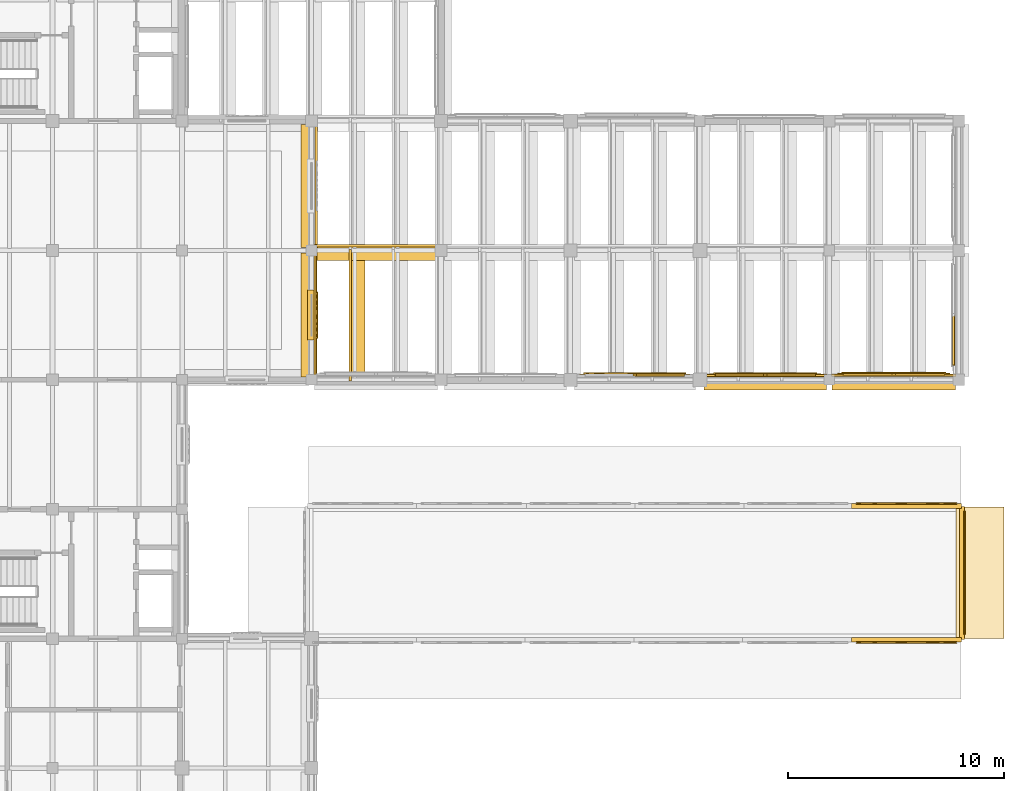
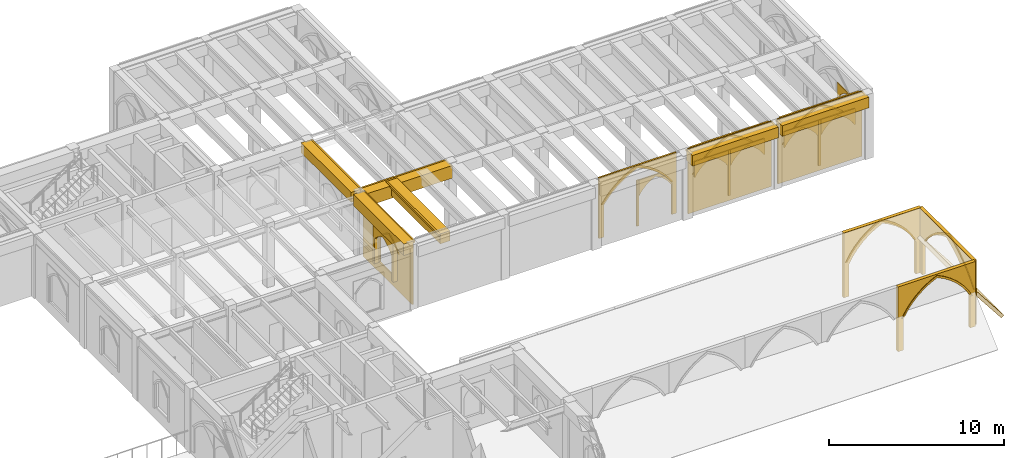
# One storey, part 123 of 127: 39 coverings.
"""IFC4 building model written with IfcOpenShell, lengths in metres."""

from ifc_helpers import new_model, si_unit, direction, frame, origin, origin_2d, place, context, subcontext, project, spatial, polyline, rectangle, outline, extrude, material, type_object, element, save


model = new_model("IFC4")

# Units and contexts
model_context = context("Model", 3, precision=1e-05, world=origin(), true_north=direction((0.0, 1.0)))
body_context = subcontext(model_context, "Body", "Model", "MODEL_VIEW")
ifc_project = project(units=[si_unit("LENGTHUNIT", "METRE"), si_unit("AREAUNIT", "SQUARE_METRE"), si_unit("VOLUMEUNIT", "CUBIC_METRE"), si_unit("PLANEANGLEUNIT", "RADIAN"), si_unit("MASSUNIT", "GRAM", prefix="KILO")], contexts=[model_context])

# Site, building, storey
site_placement = place(None, origin())
site = spatial("IfcSite", under=ifc_project, at=site_placement, CompositionType="ELEMENT")
building_placement = place(site_placement, origin())
building = spatial("IfcBuilding", under=site, at=building_placement, Name="Cumevento Cable Car Station", CompositionType="ELEMENT")
storey_placement = place(building_placement, frame((0.0, 0.0, 4.5)))
storey = spatial("IfcBuildingStorey", under=building, at=storey_placement, Name="L02", CompositionType="ELEMENT", Elevation=4.5)

# Coverings
ifc_material = material(Name="Gnaisse Facoidal Stone Ashlar 85 MPa", Category="masonry")
covering_type = type_object("IfcCoveringType", Name="Gnaisse Ashlar Cladding CV-CL01", PredefinedType="CLADDING", material=ifc_material)
covering_1_placement = place(storey_placement, frame((135.85009765625, 36.0, 3.66796875), z_axis=(0.0, 0.0, 1.0), x_axis=(0.0, -1.0, 0.0)))
element("IfcCovering", 1, at=covering_1_placement, inside=storey, type_object=covering_type, Name="Gothic Stone Spandrel Stringcourse sc:0453", PredefinedType="CLADDING", context=body_context, shape_type="SweptSolid", body=[
    extrude(rectangle(XDim=5.739990234375, YDim=0.659912109375, at=origin_2d()), origin(), (0.0, 0.0, 1.0), 0.797119140625),
])
covering_2_placement = place(storey_placement, frame((136.20751953125, 36.0, 4.3349609375), z_axis=(0.0, 0.0, 1.0), x_axis=(0.0, -1.0, 0.0)))
element("IfcCovering", 2, at=covering_2_placement, inside=storey, type_object=covering_type, Name="Gothic Cornice Dripstone Lip sc:0453", PredefinedType="CLADDING", context=body_context, shape_type="SweptSolid", body=[
    extrude(rectangle(XDim=5.780029296875, YDim=0.114990234375, at=origin_2d()), origin(), (0.0, 0.0, 1.0), 0.1298828125),
])
covering_3_placement = place(storey_placement, frame((135.851318359375, 41.987548828125, 3.73583984375), z_axis=(0.0, 0.0, 1.0), x_axis=(0.0, -1.0, 0.0)))
element("IfcCovering", 3, at=covering_3_placement, inside=storey, type_object=covering_type, Name="Gothic Stone Spandrel Stringcourse sc:0454", PredefinedType="CLADDING", context=body_context, shape_type="SweptSolid", body=[
    extrude(rectangle(XDim=5.715087890625, YDim=0.66259765625, at=origin_2d()), origin(), (0.0, 0.0, 1.0), 0.694091796875),
])
covering_4_placement = place(storey_placement, frame((136.2099609375, 41.987548828125, 4.300048828125), z_axis=(0.0, 0.0, 1.0), x_axis=(0.0, -1.0, 0.0)))
element("IfcCovering", 4, at=covering_4_placement, inside=storey, type_object=covering_type, Name="Gothic Cornice Dripstone Lip sc:0454", PredefinedType="CLADDING", context=body_context, shape_type="SweptSolid", body=[
    extrude(rectangle(XDim=5.7548828125, YDim=0.114990234375, at=origin_2d()), origin(), (0.0, 0.0, 1.0), 0.1298828125),
])
covering_5_placement = place(storey_placement, frame((157.03759765625, 32.85009765625, 3.722900390625), z_axis=(0.0, 0.0, 1.0), x_axis=(1.0, 0.0, 0.0)))
element("IfcCovering", 5, at=covering_5_placement, inside=storey, type_object=covering_type, Name="Gothic Stone Spandrel Stringcourse sc:0458", PredefinedType="CLADDING", context=body_context, shape_type="SweptSolid", body=[
    extrude(rectangle(XDim=5.6650390625, YDim=0.659912109375, at=origin_2d()), origin(), (0.0, 0.0, 1.0), 0.7470703125),
])
covering_6_placement = place(storey_placement, frame((157.03759765625, 33.20751953125, 4.340087890625), z_axis=(0.0, 0.0, 1.0), x_axis=(1.0, 0.0, 0.0)))
element("IfcCovering", 6, at=covering_6_placement, inside=storey, type_object=covering_type, Name="Gothic Cornice Dripstone Lip sc:0458", PredefinedType="CLADDING", context=body_context, shape_type="SweptSolid", body=[
    extrude(rectangle(XDim=5.705078125, YDim=0.114990234375, at=origin_2d()), origin(), (0.0, 0.0, 1.0), 0.1298828125),
])
covering_7_placement = place(storey_placement, frame((162.987548828125, 32.85009765625, 3.722900390625), z_axis=(0.0, 0.0, 1.0), x_axis=(1.0, 0.0, 0.0)))
element("IfcCovering", 7, at=covering_7_placement, inside=storey, type_object=covering_type, Name="Gothic Stone Spandrel Stringcourse sc:0459", PredefinedType="CLADDING", context=body_context, shape_type="SweptSolid", body=[
    extrude(rectangle(XDim=5.715087890625, YDim=0.659912109375, at=origin_2d()), origin(), (0.0, 0.0, 1.0), 0.7470703125),
])
covering_8_placement = place(storey_placement, frame((162.987548828125, 33.20751953125, 4.340087890625), z_axis=(0.0, 0.0, 1.0), x_axis=(1.0, 0.0, 0.0)))
element("IfcCovering", 8, at=covering_8_placement, inside=storey, type_object=covering_type, Name="Gothic Cornice Dripstone Lip sc:0459", PredefinedType="CLADDING", context=body_context, shape_type="SweptSolid", body=[
    extrude(rectangle(XDim=5.7548828125, YDim=0.114990234375, at=origin_2d()), origin(), (0.0, 0.0, 1.0), 0.1298828125),
])
covering_9_placement = place(storey_placement, frame((138.987548828125, 38.852783203125, 3.5859375), z_axis=(0.0, 0.0, 1.0), x_axis=(1.0, 0.0, 0.0)))
element("IfcCovering", 9, at=covering_9_placement, inside=storey, type_object=covering_type, Name="Gothic Stone Spandrel Stringcourse sc:0460", PredefinedType="CLADDING", context=body_context, shape_type="SweptSolid", body=[
    extrude(rectangle(XDim=5.715087890625, YDim=0.66552734375, at=origin_2d()), origin(), (0.0, 0.0, 1.0), 0.87890625),
])
covering_10_placement = place(storey_placement, frame((138.987548828125, 39.212890625, 4.3349609375), z_axis=(0.0, 0.0, 1.0), x_axis=(1.0, 0.0, 0.0)))
element("IfcCovering", 10, at=covering_10_placement, inside=storey, type_object=covering_type, Name="Gothic Cornice Dripstone Lip sc:0460", PredefinedType="CLADDING", context=body_context, shape_type="SweptSolid", body=[
    extrude(rectangle(XDim=5.7548828125, YDim=0.114990234375, at=origin_2d()), origin(), (0.0, 0.0, 1.0), 0.1298828125),
])
covering_11_placement = place(storey_placement, frame((138.14990234375, 35.99169921875, 3.77490234375), z_axis=(0.0, 0.0, 1.0), x_axis=(0.0, 1.0, 0.0)))
element("IfcCovering", 11, at=covering_11_placement, inside=storey, type_object=covering_type, Name="Gothic Stone Spandrel Stringcourse sc:0552", PredefinedType="CLADDING", context=body_context, shape_type="SweptSolid", body=[
    extrude(rectangle(XDim=6.069580078125, YDim=0.659912109375, at=origin_2d()), origin(), (0.0, 0.0, 1.0), 0.695068359375),
])
covering_12_placement = place(storey_placement, frame((137.79248046875, 35.99169921875, 4.340087890625), z_axis=(0.0, 0.0, 1.0), x_axis=(0.0, 1.0, 0.0)))
element("IfcCovering", 12, at=covering_12_placement, inside=storey, type_object=covering_type, Name="Gothic Cornice Dripstone Lip sc:0552", PredefinedType="CLADDING", context=body_context, shape_type="SweptSolid", body=[
    extrude(rectangle(XDim=6.109619140625, YDim=0.114990234375, at=origin_2d()), origin(), (0.0, 0.0, 1.0), 0.1298828125),
])
placement_1 = place(storey_placement, frame((148.47998046875, 33.0, 0.300048828125), z_axis=(0.0, 0.0, 1.0), x_axis=(1.0, 0.0, 0.0)))
element("IfcCovering", 13, at=placement_1, inside=storey, type_object=covering_type, Name="Gothic Ogival Pointed-Arch Stone Spandrel blind_ogival:0091", PredefinedType="CLADDING", context=body_context, shape_type="SweptSolid", body=[
    extrude(outline(polyline([(-0.050048828125, 0.0), (-0.050048828125, 4.239990234375), (5.06494140625, 4.239990234375), (5.06494140625, 0.0), (4.7548828125, 0.0), (4.7548828125, 2.219970703125), (4.509033203125, 2.557861328125), (4.23388671875, 2.87255859375), (3.932373046875, 3.16162109375), (3.60595703125, 3.4228515625), (3.258056640625, 3.654296875), (2.890869140625, 3.853759765625), (2.507568359375, 4.02001953125), (2.1240234375, 3.853759765625), (1.7568359375, 3.654296875), (1.408935546875, 3.4228515625), (1.08251953125, 3.16162109375), (0.781005859375, 2.87255859375), (0.505859375, 2.557861328125), (0.260009765625, 2.219970703125), (0.260009765625, 0.0), (-0.050048828125, 0.0)])), frame((0.0, 0.280029296875, 0.0), z_axis=(0.0, -1.0, 0.0), x_axis=(1.0, 0.0, 0.0)), (0.0, 0.0, 1.0), 0.110107421875),
])
covering_14_placement = place(storey_placement, frame((148.47998046875, 33.0, 2.52001953125), z_axis=(0.0, 0.0, 1.0), x_axis=(1.0, 0.0, 0.0)))
element("IfcCovering", 14, at=covering_14_placement, inside=storey, type_object=covering_type, Name="Gothic Pointed Archivolt Hood Moulding blind_ogival:0091", PredefinedType="CLADDING", context=body_context, shape_type="SweptSolid", body=[
    extrude(outline(polyline([(0.260009765625, 0.0), (0.505859375, 0.337890625), (0.781005859375, 0.652587890625), (1.08251953125, 0.941650390625), (1.408935546875, 1.202880859375), (1.7568359375, 1.434326171875), (2.1240234375, 1.6337890625), (2.507568359375, 1.800048828125), (2.890869140625, 1.6337890625), (3.258056640625, 1.434326171875), (3.60595703125, 1.202880859375), (3.932373046875, 0.941650390625), (4.23388671875, 0.652587890625), (4.509033203125, 0.337890625), (4.7548828125, 0.0), (4.8759765625, 0.0), (4.62060546875, 0.365234375), (4.333251953125, 0.7060546875), (4.016357421875, 1.019287109375), (3.67236328125, 1.302734375), (3.30419921875, 1.5537109375), (2.914794921875, 1.7705078125), (2.507568359375, 1.951171875), (2.10009765625, 1.7705078125), (1.710693359375, 1.5537109375), (1.342529296875, 1.302734375), (0.99853515625, 1.019287109375), (0.681640625, 0.7060546875), (0.394287109375, 0.365234375), (0.138916015625, 0.0), (0.260009765625, 0.0)])), frame((0.0, 0.322021484375, 0.0), z_axis=(0.0, -1.0, 0.0), x_axis=(1.0, 0.0, 0.0)), (0.0, 0.0, 1.0), 0.06689453125),
])
element("IfcCovering", 15, at=placement_1, inside=storey, type_object=covering_type, Name="Gothic Bifora Stone Colonnette blind_ogival:0091 #1", PredefinedType="CLADDING", context=body_context, shape_type="SweptSolid", body=[
    extrude(outline(polyline([(2.4326171875, -0.02001953125), (2.58251953125, -0.02001953125), (2.58251953125, 3.156005859375), (2.4326171875, 3.156005859375), (2.4326171875, -0.02001953125)])), frame((0.0, 0.26806640625, 0.0), z_axis=(0.0, -1.0, 0.0), x_axis=(1.0, 0.0, 0.0)), (0.0, 0.0, 1.0), 0.094970703125),
])
covering_16_placement = place(storey_placement, frame((151.032470703125, 33.0, 2.340087890625), z_axis=(0.0, 0.0, 1.0), x_axis=(1.0, 0.0, 0.0)))
element("IfcCovering", 16, at=covering_16_placement, inside=storey, type_object=covering_type, Name="Gothic Ogival Pointed-Arch Stone Spandrel blind_ogival:0091:sub:1", PredefinedType="CLADDING", context=body_context, shape_type="SweptSolid", body=[
    extrude(outline(polyline([(-0.02001953125, 0.0), (-0.02001953125, 1.115966796875), (2.25244140625, 1.115966796875), (2.25244140625, 0.0), (2.1923828125, 0.0), (2.064697265625, 0.2138671875), (1.91357421875, 0.411865234375), (1.74072265625, 0.59130859375), (1.54833984375, 0.749755859375), (1.33935546875, 0.88525390625), (1.1162109375, 0.99609375), (0.89306640625, 0.88525390625), (0.68408203125, 0.749755859375), (0.49169921875, 0.59130859375), (0.31884765625, 0.411865234375), (0.167724609375, 0.2138671875), (0.0400390625, 0.0), (-0.02001953125, 0.0)])), frame((0.0, 0.263916015625, 0.0), z_axis=(0.0, -1.0, 0.0), x_axis=(1.0, 0.0, 0.0)), (0.0, 0.0, 1.0), 0.090087890625),
])
covering_17_placement = place(storey_placement, frame((154.324951171875, 33.0, 0.0), z_axis=(0.0, 0.0, 1.0), x_axis=(1.0, 0.0, 0.0)))
element("IfcCovering", 17, at=covering_17_placement, inside=storey, type_object=covering_type, Name="Exterior Gnaisse Stone Wall Ashlar #92", PredefinedType="CLADDING", context=body_context, shape_type="SweptSolid", body=[
    extrude(outline(polyline([(-0.0400390625, -0.02001953125), (5.465087890625, -0.02001953125), (5.465087890625, 4.52001953125), (-0.0400390625, 4.52001953125), (-0.0400390625, -0.02001953125)])), frame((0.0, 0.237548828125, 0.0), z_axis=(0.0, -1.0, 0.0), x_axis=(1.0, 0.0, 0.0)), (0.0, 0.0, 1.0), 0.0849609375),
])
placement_2 = place(storey_placement, frame((154.5048828125, 33.0, 0.300048828125), z_axis=(0.0, 0.0, 1.0), x_axis=(1.0, 0.0, 0.0)))
element("IfcCovering", 18, at=placement_2, inside=storey, type_object=covering_type, Name="Gothic Ogival Pointed-Arch Stone Spandrel blind_ogival:0092", PredefinedType="CLADDING", context=body_context, shape_type="SweptSolid", body=[
    extrude(outline(polyline([(-0.050048828125, 0.0), (-0.050048828125, 4.239990234375), (5.114990234375, 4.239990234375), (5.114990234375, 0.0), (4.804931640625, 0.0), (4.804931640625, 2.219970703125), (4.554931640625, 2.55810546875), (4.27587890625, 2.873046875), (3.970458984375, 3.162109375), (3.640625, 3.42333984375), (3.289306640625, 3.654541015625), (2.9189453125, 3.85400390625), (2.532470703125, 4.02001953125), (2.14599609375, 3.85400390625), (1.775634765625, 3.654541015625), (1.42431640625, 3.42333984375), (1.094482421875, 3.162109375), (0.7890625, 2.873046875), (0.510009765625, 2.55810546875), (0.260009765625, 2.219970703125), (0.260009765625, 0.0), (-0.050048828125, 0.0)])), frame((0.0, 0.29248046875, 0.0), z_axis=(0.0, -1.0, 0.0), x_axis=(1.0, 0.0, 0.0)), (0.0, 0.0, 1.0), 0.110107421875),
])
covering_19_placement = place(storey_placement, frame((154.5048828125, 33.0, 2.52001953125), z_axis=(0.0, 0.0, 1.0), x_axis=(1.0, 0.0, 0.0)))
element("IfcCovering", 19, at=covering_19_placement, inside=storey, type_object=covering_type, Name="Gothic Pointed Archivolt Hood Moulding blind_ogival:0092", PredefinedType="CLADDING", context=body_context, shape_type="SweptSolid", body=[
    extrude(outline(polyline([(0.260009765625, 0.0), (0.510009765625, 0.338134765625), (0.7890625, 0.653076171875), (1.094482421875, 0.942138671875), (1.42431640625, 1.203369140625), (1.775634765625, 1.4345703125), (2.14599609375, 1.634033203125), (2.532470703125, 1.800048828125), (2.9189453125, 1.634033203125), (3.289306640625, 1.4345703125), (3.640625, 1.203369140625), (3.970458984375, 0.942138671875), (4.27587890625, 0.653076171875), (4.554931640625, 0.338134765625), (4.804931640625, 0.0), (4.926025390625, 0.0), (4.66650390625, 0.36572265625), (4.375244140625, 0.70654296875), (4.054443359375, 1.019775390625), (3.70703125, 1.30322265625), (3.33544921875, 1.55419921875), (2.94287109375, 1.770751953125), (2.532470703125, 1.951171875), (2.1220703125, 1.770751953125), (1.7294921875, 1.55419921875), (1.35791015625, 1.30322265625), (1.010498046875, 1.019775390625), (0.689697265625, 0.70654296875), (0.3984375, 0.36572265625), (0.138916015625, 0.0), (0.260009765625, 0.0)])), frame((0.0, 0.33447265625, 0.0), z_axis=(0.0, -1.0, 0.0), x_axis=(1.0, 0.0, 0.0)), (0.0, 0.0, 1.0), 0.06689453125),
])
element("IfcCovering", 20, at=placement_2, inside=storey, type_object=covering_type, Name="Gothic Bifora Stone Colonnette blind_ogival:0092 #1", PredefinedType="CLADDING", context=body_context, shape_type="SweptSolid", body=[
    extrude(outline(polyline([(2.45751953125, -0.02001953125), (2.607421875, -0.02001953125), (2.607421875, 3.156005859375), (2.45751953125, 3.156005859375), (2.45751953125, -0.02001953125)])), frame((0.0, 0.280517578125, 0.0), z_axis=(0.0, -1.0, 0.0), x_axis=(1.0, 0.0, 0.0)), (0.0, 0.0, 1.0), 0.094970703125),
])
for number, where, z_axis, x_axis, name in (
    (21, (154.735107421875, 33.0, 2.340087890625), (0.0, 0.0, 1.0), (1.0, 0.0, 0.0), "Gothic Ogival Pointed-Arch Stone Spandrel blind_ogival:0092:sub:0"),
    (22, (157.08251953125, 33.0, 2.340087890625), (0.0, 0.0, 1.0), (1.0, 0.0, 0.0), "Gothic Ogival Pointed-Arch Stone Spandrel blind_ogival:0092:sub:1"),
):
    element("IfcCovering", number, at=place(storey_placement, frame(where, z_axis=z_axis, x_axis=x_axis)), inside=storey, type_object=covering_type, Name=name, PredefinedType="CLADDING", context=body_context, shape_type="SweptSolid", body=[
        extrude(outline(polyline([(-0.02001953125, 0.0), (-0.02001953125, 1.115966796875), (2.277587890625, 1.115966796875), (2.277587890625, 0.0), (2.217529296875, 0.0), (2.08740234375, 0.214111328125), (1.933837890625, 0.412353515625), (1.7587890625, 0.591796875), (1.564697265625, 0.75), (1.353759765625, 0.885498046875), (1.128662109375, 0.99609375), (0.90380859375, 0.885498046875), (0.69287109375, 0.75), (0.498779296875, 0.591796875), (0.32373046875, 0.412353515625), (0.170166015625, 0.214111328125), (0.0400390625, 0.0), (-0.02001953125, 0.0)])), frame((0.0, 0.276611328125, 0.0), z_axis=(0.0, -1.0, 0.0), x_axis=(1.0, 0.0, 0.0)), (0.0, 0.0, 1.0), 0.090087890625),
    ])
covering_21_placement = place(storey_placement, frame((160.25, 33.0, 0.0), z_axis=(0.0, 0.0, 1.0), x_axis=(1.0, 0.0, 0.0)))
element("IfcCovering", 23, at=covering_21_placement, inside=storey, type_object=covering_type, Name="Exterior Gnaisse Stone Wall Ashlar #93", PredefinedType="CLADDING", context=body_context, shape_type="SweptSolid", body=[
    extrude(outline(polyline([(-0.0400390625, -0.02001953125), (5.514892578125, -0.02001953125), (5.514892578125, 4.52001953125), (-0.0400390625, 4.52001953125), (-0.0400390625, -0.02001953125)])), frame((0.0, 0.25, 0.0), z_axis=(0.0, -1.0, 0.0), x_axis=(1.0, 0.0, 0.0)), (0.0, 0.0, 1.0), 0.0849609375),
])
placement_3 = place(storey_placement, frame((160.429931640625, 33.0, 0.300048828125), z_axis=(0.0, 0.0, 1.0), x_axis=(1.0, 0.0, 0.0)))
element("IfcCovering", 24, at=placement_3, inside=storey, type_object=covering_type, Name="Gothic Ogival Pointed-Arch Stone Spandrel blind_ogival:0093", PredefinedType="CLADDING", context=body_context, shape_type="SweptSolid", body=[
    extrude(outline(polyline([(-0.050048828125, 0.0), (-0.050048828125, 4.239990234375), (5.1650390625, 4.239990234375), (5.1650390625, 0.0), (4.85498046875, 0.0), (4.85498046875, 2.219970703125), (4.600830078125, 2.55859375), (4.31787109375, 2.87353515625), (4.0087890625, 3.162841796875), (3.67529296875, 3.423828125), (3.320556640625, 3.65478515625), (2.947021484375, 3.85400390625), (2.5576171875, 4.02001953125), (2.16796875, 3.85400390625), (1.79443359375, 3.65478515625), (1.439697265625, 3.423828125), (1.106201171875, 3.162841796875), (0.797119140625, 2.87353515625), (0.51416015625, 2.55859375), (0.260009765625, 2.219970703125), (0.260009765625, 0.0), (-0.050048828125, 0.0)])), frame((0.0, 0.304931640625, 0.0), z_axis=(0.0, -1.0, 0.0), x_axis=(1.0, 0.0, 0.0)), (0.0, 0.0, 1.0), 0.110107421875),
])
covering_23_placement = place(storey_placement, frame((160.429931640625, 33.0, 2.52001953125), z_axis=(0.0, 0.0, 1.0), x_axis=(1.0, 0.0, 0.0)))
element("IfcCovering", 25, at=covering_23_placement, inside=storey, type_object=covering_type, Name="Gothic Pointed Archivolt Hood Moulding blind_ogival:0093", PredefinedType="CLADDING", context=body_context, shape_type="SweptSolid", body=[
    extrude(outline(polyline([(0.260009765625, 0.0), (0.51416015625, 0.338623046875), (0.797119140625, 0.653564453125), (1.106201171875, 0.94287109375), (1.439697265625, 1.203857421875), (1.79443359375, 1.434814453125), (2.16796875, 1.634033203125), (2.5576171875, 1.800048828125), (2.947021484375, 1.634033203125), (3.320556640625, 1.434814453125), (3.67529296875, 1.203857421875), (4.0087890625, 0.94287109375), (4.31787109375, 0.653564453125), (4.600830078125, 0.338623046875), (4.85498046875, 0.0), (4.97607421875, 0.0), (4.71240234375, 0.365966796875), (4.417236328125, 0.70703125), (4.0927734375, 1.0205078125), (3.74169921875, 1.3037109375), (3.36669921875, 1.554443359375), (2.970947265625, 1.77099609375), (2.5576171875, 1.951171875), (2.14404296875, 1.77099609375), (1.748291015625, 1.554443359375), (1.373291015625, 1.3037109375), (1.022216796875, 1.0205078125), (0.69775390625, 0.70703125), (0.402587890625, 0.365966796875), (0.138916015625, 0.0), (0.260009765625, 0.0)])), frame((0.0, 0.346923828125, 0.0), z_axis=(0.0, -1.0, 0.0), x_axis=(1.0, 0.0, 0.0)), (0.0, 0.0, 1.0), 0.06689453125),
])
element("IfcCovering", 26, at=placement_3, inside=storey, type_object=covering_type, Name="Gothic Bifora Stone Colonnette blind_ogival:0093 #1", PredefinedType="CLADDING", context=body_context, shape_type="SweptSolid", body=[
    extrude(outline(polyline([(2.482421875, -0.02001953125), (2.632568359375, -0.02001953125), (2.632568359375, 3.156005859375), (2.482421875, 3.156005859375), (2.482421875, -0.02001953125)])), frame((0.0, 0.29296875, 0.0), z_axis=(0.0, -1.0, 0.0), x_axis=(1.0, 0.0, 0.0)), (0.0, 0.0, 1.0), 0.094970703125),
])
for number, where, z_axis, x_axis, name in (
    (27, (160.659912109375, 33.0, 2.340087890625), (0.0, 0.0, 1.0), (1.0, 0.0, 0.0), "Gothic Ogival Pointed-Arch Stone Spandrel blind_ogival:0093:sub:0"),
    (28, (163.032470703125, 33.0, 2.340087890625), (0.0, 0.0, 1.0), (1.0, 0.0, 0.0), "Gothic Ogival Pointed-Arch Stone Spandrel blind_ogival:0093:sub:1"),
):
    element("IfcCovering", number, at=place(storey_placement, frame(where, z_axis=z_axis, x_axis=x_axis)), inside=storey, type_object=covering_type, Name=name, PredefinedType="CLADDING", context=body_context, shape_type="SweptSolid", body=[
        extrude(outline(polyline([(-0.02001953125, 0.0), (-0.02001953125, 1.115966796875), (2.302490234375, 1.115966796875), (2.302490234375, 0.0), (2.242431640625, 0.0), (2.10986328125, 0.21435546875), (1.9541015625, 0.41259765625), (1.77685546875, 0.592041015625), (1.58056640625, 0.750244140625), (1.367919921875, 0.885498046875), (1.141357421875, 0.99609375), (0.91455078125, 0.885498046875), (0.701904296875, 0.750244140625), (0.505615234375, 0.592041015625), (0.328369140625, 0.41259765625), (0.172607421875, 0.21435546875), (0.0400390625, 0.0), (-0.02001953125, 0.0)])), frame((0.0, 0.2890625, 0.0), z_axis=(0.0, -1.0, 0.0), x_axis=(1.0, 0.0, 0.0)), (0.0, 0.0, 1.0), 0.090087890625),
    ])
covering_25_placement = place(storey_placement, frame((166.0, 33.68505859375, 2.340087890625), z_axis=(0.0, 0.0, 1.0), x_axis=(0.0, 1.0, 0.0)))
element("IfcCovering", 29, at=covering_25_placement, inside=storey, type_object=covering_type, Name="Gothic Ogival Pointed-Arch Stone Spandrel blind_ogival:0098:sub:0", PredefinedType="CLADDING", context=body_context, shape_type="SweptSolid", body=[
    extrude(outline(polyline([(-0.02001953125, 0.0), (-0.02001953125, 1.115966796875), (2.2900390625, 1.115966796875), (2.2900390625, 0.0), (2.22998046875, 0.0), (2.0986328125, 0.21435546875), (1.944091796875, 0.412353515625), (1.767822265625, 0.591796875), (1.57275390625, 0.750244140625), (1.36083984375, 0.885498046875), (1.135009765625, 0.99609375), (0.9091796875, 0.885498046875), (0.697265625, 0.750244140625), (0.502197265625, 0.591796875), (0.325927734375, 0.412353515625), (0.17138671875, 0.21435546875), (0.0400390625, 0.0), (-0.02001953125, 0.0)])), frame((0.0, 0.276611328125, 0.0), z_axis=(0.0, -1.0, 0.0), x_axis=(1.0, 0.0, 0.0)), (0.0, 0.0, 1.0), 0.090087890625),
])
covering_26_placement = place(storey_placement, frame((136.0, 38.75, 0.0), z_axis=(0.0, 0.0, 1.0), x_axis=(0.0, -1.0, 0.0)))
element("IfcCovering", 30, at=covering_26_placement, inside=storey, type_object=covering_type, Name="Exterior Gnaisse Stone Wall Ashlar #216", PredefinedType="CLADDING", context=body_context, shape_type="SweptSolid", body=[
    extrude(outline(polyline([(-0.0400390625, -0.02001953125), (5.5400390625, -0.02001953125), (5.5400390625, 3.748046875), (-0.0400390625, 3.748046875), (-0.0400390625, -0.02001953125)]), holes=[polyline([(1.784912109375, 0.7099609375), (3.715087890625, 0.7099609375), (3.715087890625, 3.0400390625), (1.784912109375, 3.0400390625), (1.784912109375, 0.7099609375)])]), frame((0.0, 0.199951171875, 0.0), z_axis=(0.0, -1.0, 0.0), x_axis=(1.0, 0.0, 0.0)), (0.0, 0.0, 1.0), 0.0849609375),
])
covering_27_placement = place(storey_placement, frame((136.0, 37.114990234375, 0.64990234375), z_axis=(0.0, 0.0, 1.0), x_axis=(0.0, -1.0, 0.0)))
element("IfcCovering", 31, at=covering_27_placement, inside=storey, type_object=covering_type, Name="Gothic Ogival Pointed-Arch Stone Spandrel op_ogival:0216:1", PredefinedType="CLADDING", context=body_context, shape_type="SweptSolid", body=[
    extrude(outline(polyline([(-0.0400390625, 0.0), (-0.0400390625, 2.6201171875), (2.27001953125, 2.6201171875), (2.27001953125, 0.0), (2.090087890625, 0.0), (2.090087890625, 1.741943359375), (1.9775390625, 1.874267578125), (1.854736328125, 1.996826171875), (1.72216796875, 2.109130859375), (1.5810546875, 2.210205078125), (1.43212890625, 2.29931640625), (1.2763671875, 2.376220703125), (1.114990234375, 2.43994140625), (0.95361328125, 2.376220703125), (0.7978515625, 2.29931640625), (0.64892578125, 2.210205078125), (0.5078125, 2.109130859375), (0.375244140625, 1.996826171875), (0.25244140625, 1.874267578125), (0.139892578125, 1.741943359375), (0.139892578125, 0.0), (-0.0400390625, 0.0)])), frame((0.0, 0.238037109375, 0.0), z_axis=(0.0, -1.0, 0.0), x_axis=(1.0, 0.0, 0.0)), (0.0, 0.0, 1.0), 0.429931640625),
])
covering_28_placement = place(storey_placement, frame((136.0, 37.114990234375, 2.39208984375), z_axis=(0.0, 0.0, 1.0), x_axis=(0.0, -1.0, 0.0)))
element("IfcCovering", 32, at=covering_28_placement, inside=storey, type_object=covering_type, Name="Gothic Pointed Archivolt Hood Moulding op_ogival:0216:1", PredefinedType="CLADDING", context=body_context, shape_type="SweptSolid", body=[
    extrude(outline(polyline([(0.139892578125, 0.0), (0.25244140625, 0.13232421875), (0.375244140625, 0.2548828125), (0.5078125, 0.3671875), (0.64892578125, 0.46826171875), (0.7978515625, 0.557373046875), (0.95361328125, 0.63427734375), (1.114990234375, 0.697998046875), (1.2763671875, 0.63427734375), (1.43212890625, 0.557373046875), (1.5810546875, 0.46826171875), (1.72216796875, 0.3671875), (1.854736328125, 0.2548828125), (1.9775390625, 0.13232421875), (2.090087890625, 0.0), (2.18896484375, 0.0), (2.06884765625, 0.15478515625), (1.935791015625, 0.298828125), (1.790771484375, 0.430908203125), (1.635009765625, 0.550048828125), (1.4697265625, 0.655517578125), (1.2958984375, 0.74609375), (1.114990234375, 0.82177734375), (0.93408203125, 0.74609375), (0.76025390625, 0.655517578125), (0.594970703125, 0.550048828125), (0.439208984375, 0.430908203125), (0.294189453125, 0.298828125), (0.1611328125, 0.15478515625), (0.041015625, 0.0), (0.139892578125, 0.0)])), frame((0.0, 0.280029296875, 0.0), z_axis=(0.0, -1.0, 0.0), x_axis=(1.0, 0.0, 0.0)), (0.0, 0.0, 1.0), 0.06689453125),
])
covering_29_placement = place(storey_placement, frame((166.10009765625, 21.0, -4.52001953125), z_axis=(0.0, 0.0, 1.0), x_axis=(-1.0, 0.0, 0.0)))
element("IfcCovering", 33, at=covering_29_placement, inside=storey, type_object=covering_type, Name="Gothic Ogival Pointed-Arch Stone Spandrel cumevento_plinth:bank_arch:SLOPE_DEP_S1:S:5", PredefinedType="CLADDING", context=body_context, shape_type="SweptSolid", body=[
    extrude(outline(polyline([(-0.030029296875, 0.0), (-0.030029296875, 4.52001953125), (5.07177734375, 4.52001953125), (5.07177734375, 0.0), (4.7216796875, 0.0), (4.7216796875, 2.25), (4.4619140625, 2.690185546875), (4.1533203125, 3.097412109375), (3.7998046875, 3.466796875), (3.406494140625, 3.79296875), (2.978271484375, 4.072021484375), (2.520751953125, 4.300048828125), (2.0634765625, 4.072021484375), (1.63525390625, 3.79296875), (1.241943359375, 3.466796875), (0.888427734375, 3.097412109375), (0.579833984375, 2.690185546875), (0.320068359375, 2.25), (0.320068359375, 0.0), (-0.030029296875, 0.0)])), frame((0.0, 0.159912109375, 0.0), z_axis=(0.0, -1.0, 0.0), x_axis=(1.0, 0.0, 0.0)), (0.0, 0.0, 1.0), 0.219970703125),
])
covering_30_placement = place(storey_placement, frame((166.10009765625, 21.0, -2.27001953125), z_axis=(0.0, 0.0, 1.0), x_axis=(-1.0, 0.0, 0.0)))
element("IfcCovering", 34, at=covering_30_placement, inside=storey, type_object=covering_type, Name="Gothic Pointed Archivolt Hood Moulding cumevento_plinth:bank_arch:SLOPE_DEP_S1:S:5", PredefinedType="CLADDING", context=body_context, shape_type="SweptSolid", body=[
    extrude(outline(polyline([(0.320068359375, 0.0), (0.579833984375, 0.440185546875), (0.888427734375, 0.847412109375), (1.241943359375, 1.216796875), (1.63525390625, 1.54296875), (2.0634765625, 1.822021484375), (2.520751953125, 2.050048828125), (2.978271484375, 1.822021484375), (3.406494140625, 1.54296875), (3.7998046875, 1.216796875), (4.1533203125, 0.847412109375), (4.4619140625, 0.440185546875), (4.7216796875, 0.0), (4.8427734375, 0.0), (4.572021484375, 0.4716796875), (4.248291015625, 0.90869140625), (3.8759765625, 1.305419921875), (3.4599609375, 1.656005859375), (3.00634765625, 1.9560546875), (2.520751953125, 2.201171875), (2.035400390625, 1.9560546875), (1.581787109375, 1.656005859375), (1.165771484375, 1.305419921875), (0.79345703125, 0.90869140625), (0.4697265625, 0.4716796875), (0.198974609375, 0.0), (0.320068359375, 0.0)])), frame((0.0, 0.201904296875, 0.0), z_axis=(0.0, -1.0, 0.0), x_axis=(1.0, 0.0, 0.0)), (0.0, 0.0, 1.0), 0.06689453125),
])
covering_31_placement = place(storey_placement, frame((166.10009765625, 27.10009765625, -4.52001953125), z_axis=(0.0, 0.0, 1.0), x_axis=(0.0, -1.0, 0.0)))
element("IfcCovering", 35, at=covering_31_placement, inside=storey, type_object=covering_type, Name="Gothic Ogival Pointed-Arch Stone Spandrel cumevento_plinth:bank_arch:SLOPE_DEP_S1:E:0", PredefinedType="CLADDING", context=body_context, shape_type="SweptSolid", body=[
    extrude(outline(polyline([(-0.030029296875, 0.0), (-0.030029296875, 4.52001953125), (6.1298828125, 4.52001953125), (6.1298828125, 0.0), (5.780029296875, 0.0), (5.780029296875, 2.25), (5.417236328125, 2.698974609375), (5.011962890625, 3.10986328125), (4.568115234375, 3.478759765625), (4.090087890625, 3.802001953125), (3.582275390625, 4.07666015625), (3.050048828125, 4.300048828125), (2.517822265625, 4.07666015625), (2.010009765625, 3.802001953125), (1.531982421875, 3.478759765625), (1.088134765625, 3.10986328125), (0.682861328125, 2.698974609375), (0.320068359375, 2.25), (0.320068359375, 0.0), (-0.030029296875, 0.0)])), frame((0.0, 0.159912109375, 0.0), z_axis=(0.0, -1.0, 0.0), x_axis=(1.0, 0.0, 0.0)), (0.0, 0.0, 1.0), 0.219970703125),
])
covering_32_placement = place(storey_placement, frame((166.10009765625, 27.10009765625, -2.27001953125), z_axis=(0.0, 0.0, 1.0), x_axis=(0.0, -1.0, 0.0)))
element("IfcCovering", 36, at=covering_32_placement, inside=storey, type_object=covering_type, Name="Gothic Pointed Archivolt Hood Moulding cumevento_plinth:bank_arch:SLOPE_DEP_S1:E:0", PredefinedType="CLADDING", context=body_context, shape_type="SweptSolid", body=[
    extrude(outline(polyline([(0.320068359375, 0.0), (0.682861328125, 0.448974609375), (1.088134765625, 0.85986328125), (1.531982421875, 1.228759765625), (2.010009765625, 1.552001953125), (2.517822265625, 1.82666015625), (3.050048828125, 2.050048828125), (3.582275390625, 1.82666015625), (4.090087890625, 1.552001953125), (4.568115234375, 1.228759765625), (5.011962890625, 0.85986328125), (5.417236328125, 0.448974609375), (5.780029296875, 0.0), (5.90087890625, 0.0), (5.52685546875, 0.48095703125), (5.106201171875, 0.921630859375), (4.643310546875, 1.31787109375), (4.142822265625, 1.66552734375), (3.610107421875, 1.9609375), (3.050048828125, 2.201171875), (2.489990234375, 1.9609375), (1.957275390625, 1.66552734375), (1.456787109375, 1.31787109375), (0.993896484375, 0.921630859375), (0.5732421875, 0.48095703125), (0.198974609375, 0.0), (0.320068359375, 0.0)])), frame((0.0, 0.201904296875, 0.0), z_axis=(0.0, -1.0, 0.0), x_axis=(1.0, 0.0, 0.0)), (0.0, 0.0, 1.0), 0.06689453125),
])
covering_33_placement = place(storey_placement, frame((168.10009765625, 21.0, -4.5400390625), z_axis=(0.786896587651, 0.0, 0.617084889089), x_axis=(0.0, 1.0, 0.0)))
element("IfcCovering", 37, at=covering_33_placement, inside=storey, type_object=covering_type, Name="Sloped Gnaisse Hillside Talus SLOPE_DEP_S1 E", PredefinedType="CLADDING", context=body_context, shape_type="SweptSolid", body=[
    extrude(outline(polyline([(0.0, 0.0), (6.10009765625, 0.0), (6.10009765625, 3.338371478824742), (0.0, 3.338371478824742), (0.0, 0.0)])), origin(), (0.0, 0.0, -1.0), 0.219970703125),
])
covering_34_placement = place(storey_placement, frame((161.058349609375, 27.10009765625, -4.52001953125), z_axis=(0.0, 0.0, 1.0), x_axis=(1.0, 0.0, 0.0)))
element("IfcCovering", 38, at=covering_34_placement, inside=storey, type_object=covering_type, Name="Gothic Ogival Pointed-Arch Stone Spandrel cumevento_plinth:bank_arch:SLOPE_DEP_S1:N:0", PredefinedType="CLADDING", context=body_context, shape_type="SweptSolid", body=[
    extrude(outline(polyline([(-0.030029296875, 0.0), (-0.030029296875, 4.52001953125), (5.07177734375, 4.52001953125), (5.07177734375, 0.0), (4.7216796875, 0.0), (4.7216796875, 2.25), (4.4619140625, 2.690185546875), (4.1533203125, 3.097412109375), (3.7998046875, 3.466796875), (3.406494140625, 3.79296875), (2.978271484375, 4.072021484375), (2.520751953125, 4.300048828125), (2.0634765625, 4.072021484375), (1.63525390625, 3.79296875), (1.241943359375, 3.466796875), (0.888427734375, 3.097412109375), (0.579833984375, 2.690185546875), (0.320068359375, 2.25), (0.320068359375, 0.0), (-0.030029296875, 0.0)])), frame((0.0, 0.159912109375, 0.0), z_axis=(0.0, -1.0, 0.0), x_axis=(1.0, 0.0, 0.0)), (0.0, 0.0, 1.0), 0.219970703125),
])
covering_35_placement = place(storey_placement, frame((161.058349609375, 27.10009765625, -2.27001953125), z_axis=(0.0, 0.0, 1.0), x_axis=(1.0, 0.0, 0.0)))
element("IfcCovering", 39, at=covering_35_placement, inside=storey, type_object=covering_type, Name="Gothic Pointed Archivolt Hood Moulding cumevento_plinth:bank_arch:SLOPE_DEP_S1:N:0", PredefinedType="CLADDING", context=body_context, shape_type="SweptSolid", body=[
    extrude(outline(polyline([(0.320068359375, 0.0), (0.579833984375, 0.440185546875), (0.888427734375, 0.847412109375), (1.241943359375, 1.216796875), (1.63525390625, 1.54296875), (2.0634765625, 1.822021484375), (2.520751953125, 2.050048828125), (2.978271484375, 1.822021484375), (3.406494140625, 1.54296875), (3.7998046875, 1.216796875), (4.1533203125, 0.847412109375), (4.4619140625, 0.440185546875), (4.7216796875, 0.0), (4.8427734375, 0.0), (4.572021484375, 0.4716796875), (4.248291015625, 0.90869140625), (3.8759765625, 1.305419921875), (3.4599609375, 1.656005859375), (3.00634765625, 1.9560546875), (2.520751953125, 2.201171875), (2.035400390625, 1.9560546875), (1.581787109375, 1.656005859375), (1.165771484375, 1.305419921875), (0.79345703125, 0.90869140625), (0.4697265625, 0.4716796875), (0.198974609375, 0.0), (0.320068359375, 0.0)])), frame((0.0, 0.201904296875, 0.0), z_axis=(0.0, -1.0, 0.0), x_axis=(1.0, 0.0, 0.0)), (0.0, 0.0, 1.0), 0.06689453125),
])

save(model, "model.ifc")
